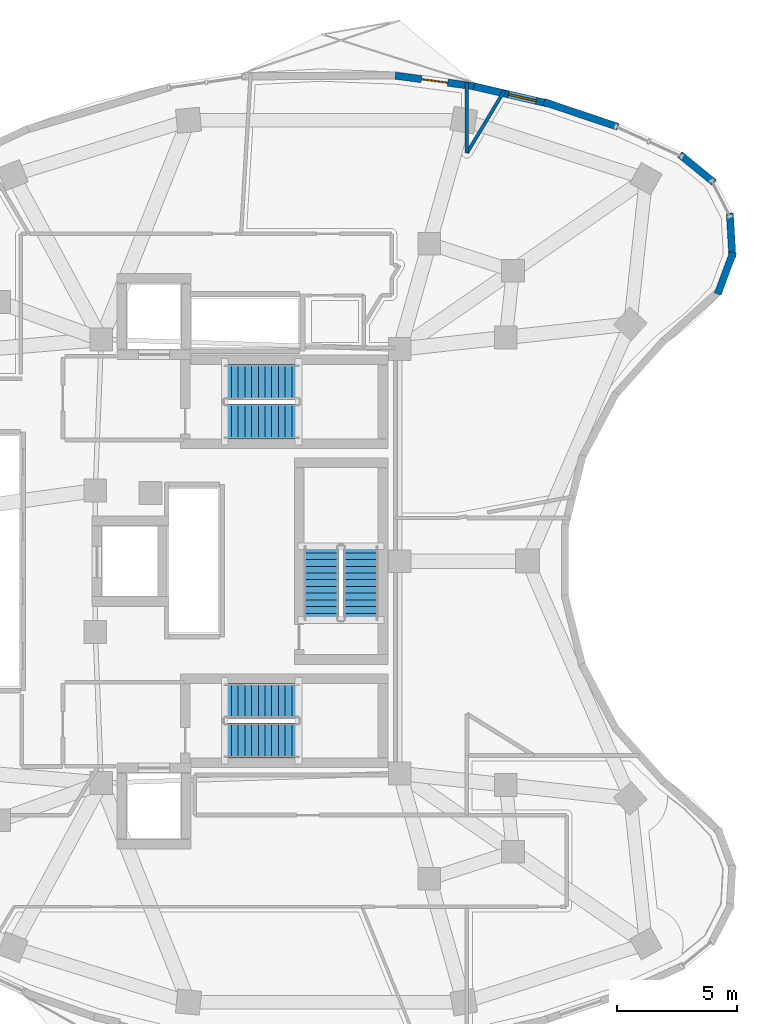
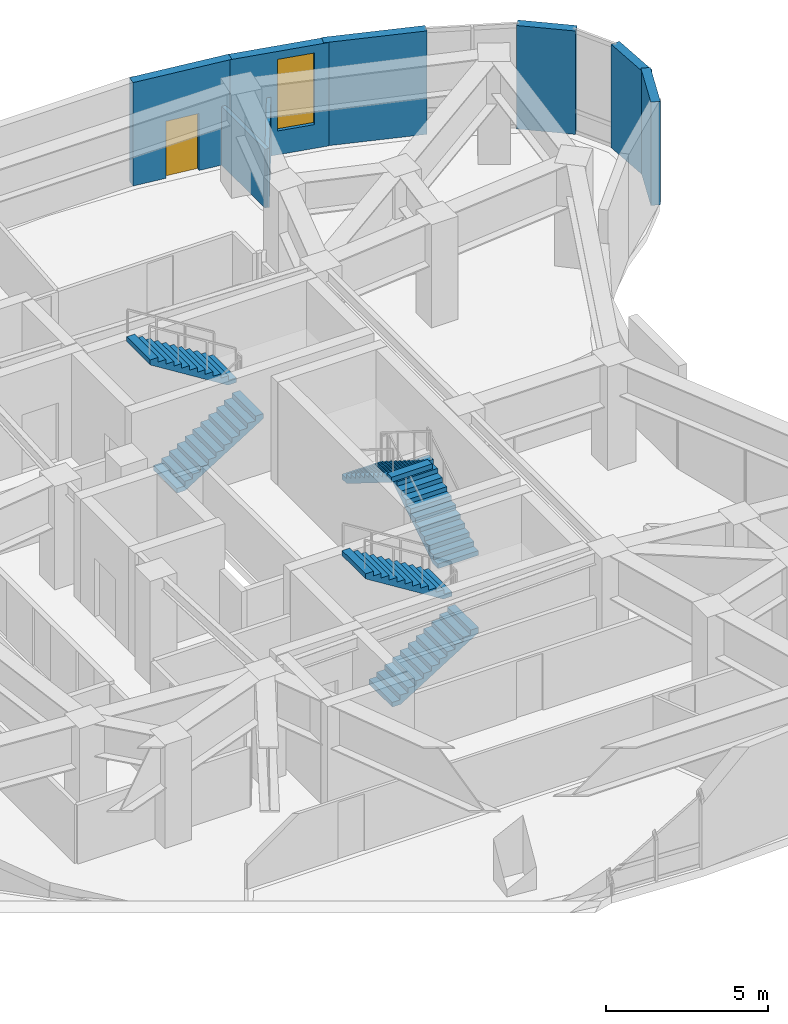
# One storey, part 9 of 12: 8 walls, 6 stair flights, 1 door, 1 window, 2 openings, 3 elements without a shape of their own.
"""IFC4 building model written with IfcOpenShell, lengths in metres."""

import ifcopenshell
import ifcopenshell.guid

model = None  # the IFC model being written
_history = None  # IfcOwnerHistory: only IFC2X3 demands one
_inside = {}  # id of a spatial element -> (the spatial element, [elements in it])
_under = {}  # id of a project, library or spatial element -> (it, [spatial elements below it])
_declared = {}  # id of a project -> (the project, [libraries it declares])
_typed = {}  # id of a type object -> (the type object, [elements of that type])
_made_of = {}  # id of a material, layer set ... -> (it, [elements and type objects made of it])


def new_model(schema):
    """Start an empty IFC model of exactly this schema.

    Asked for "IFC4X3", IfcOpenShell would pick the latest addendum, in which some entities
    have other attributes; the version numbers below select the first issue.
    IFC2X3 requires an IfcOwnerHistory on every rooted entity: one is made here for all.
    """
    global model, _history
    if schema == "IFC4X3":
        model = ifcopenshell.file(schema_version=(4, 3, 0, 0))
    else:
        model = ifcopenshell.file(schema=schema)
    _inside.clear()
    _under.clear()
    _declared.clear()
    _typed.clear()
    _made_of.clear()
    _history = None
    if model.schema == "IFC2X3":
        org = make("IfcOrganization", Name="unknown")
        user = make(
            "IfcPersonAndOrganization",
            ThePerson=make("IfcPerson", FamilyName="unknown"),
            TheOrganization=org,
        )
        app = make(
            "IfcApplication",
            ApplicationDeveloper=org,
            Version="unknown",
            ApplicationFullName="unknown",
            ApplicationIdentifier="unknown",
        )
        _history = make(
            "IfcOwnerHistory",
            OwningUser=user,
            OwningApplication=app,
            ChangeAction="ADDED",
            CreationDate=0,
        )
    return model


def make(cls, **values):
    """One entity of the class cls with the attributes given. An attribute that is None is left unset."""
    return model.create_entity(
        cls, **{name: value for name, value in values.items() if value is not None}
    )


def rooted(cls, **values):
    """An entity with a GlobalId (a new one), such as an element, a storey or a relation."""
    return make(cls, GlobalId=ifcopenshell.guid.new(), OwnerHistory=_history, **values)


def si_unit(unit_type, name, prefix=None):
    """IfcSIUnit, for example si_unit("LENGTHUNIT", "METRE", prefix="MILLI")."""
    return make("IfcSIUnit", UnitType=unit_type, Prefix=prefix, Name=name)


def assignment(units):
    """IfcUnitAssignment: the units of a project."""
    return None if units is None else make("IfcUnitAssignment", Units=units)


def point(xyz):
    """IfcCartesianPoint."""
    return None if xyz is None else make("IfcCartesianPoint", Coordinates=xyz)


def direction(xyz):
    """IfcDirection."""
    return None if xyz is None else make("IfcDirection", DirectionRatios=xyz)


def frame(location, z_axis=None, x_axis=None):
    """IfcAxis2Placement3D, a coordinate frame: its origin and axes. An axis left out is left unset."""
    return make(
        "IfcAxis2Placement3D",
        Location=point(location),
        Axis=direction(z_axis),
        RefDirection=direction(x_axis),
    )


def frame_2d(location, x_axis=None):
    """IfcAxis2Placement2D, a coordinate frame in the plane: its origin and x axis."""
    return make(
        "IfcAxis2Placement2D", Location=point(location), RefDirection=direction(x_axis)
    )


def origin():
    """The frame at (0, 0, 0) with its axes left unset."""
    return frame((0.0, 0.0, 0.0))


def place(relative_to, where):
    """IfcLocalPlacement: puts the frame where relative to a parent placement (None: the world)."""
    return make(
        "IfcLocalPlacement", PlacementRelTo=relative_to, RelativePlacement=where
    )


def context(
    kind, dimensions, precision=None, world=None, true_north=None, identifier=None
):
    """IfcGeometricRepresentationContext, for example the 3D "Model" context."""
    return make(
        "IfcGeometricRepresentationContext",
        ContextIdentifier=identifier,
        ContextType=kind,
        CoordinateSpaceDimension=dimensions,
        Precision=precision,
        WorldCoordinateSystem=world,
        TrueNorth=true_north,
    )


def subcontext(parent, identifier, kind, view, scale=None):
    """IfcGeometricRepresentationSubContext, for example "Body" below "Model"."""
    return make(
        "IfcGeometricRepresentationSubContext",
        ContextIdentifier=identifier,
        ContextType=kind,
        ParentContext=parent,
        TargetScale=scale,
        TargetView=view,
    )


def project(units=None, contexts=None):
    """IfcProject with its units and contexts."""
    return rooted(
        "IfcProject",
        Name="project",
        RepresentationContexts=contexts,
        UnitsInContext=assignment(units),
    )


def spatial(cls, under=None, at=None, **own):
    """A site, building, storey or space (cls), placed at a placement, below another one or the project."""
    s = rooted(cls, ObjectPlacement=at, **own)
    if under is not None:
        _under.setdefault(under.id(), (under, []))[1].append(s)
    return s


def polyline(points):
    """IfcPolyline through the points."""
    return make("IfcPolyline", Points=[point(p) for p in points])


def profile(cls, at=None, kind="AREA", **sizes):
    """A parametric profile (cls). Its sizes go by their IFC names, for example OverallWidth=200.0."""
    return make(cls, ProfileType=kind, Position=at, **sizes)


def rectangle(**sizes):
    """IfcRectangleProfileDef."""
    return profile("IfcRectangleProfileDef", **sizes)


def outline(outer, holes=None, kind="AREA"):
    """IfcArbitraryClosedProfileDef: a profile drawn as a closed curve; with holes, ...WithVoids."""
    if holes is None:
        return make("IfcArbitraryClosedProfileDef", ProfileType=kind, OuterCurve=outer)
    return make(
        "IfcArbitraryProfileDefWithVoids",
        ProfileType=kind,
        OuterCurve=outer,
        InnerCurves=holes,
    )


def extrude(swept, where, along, depth):
    """IfcExtrudedAreaSolid: the profile swept, set in the frame where, extruded along a direction by depth."""
    return make(
        "IfcExtrudedAreaSolid",
        SweptArea=swept,
        Position=where,
        ExtrudedDirection=direction(along),
        Depth=depth,
    )


def shape(context_of_items, identifier, shape_type, items):
    """IfcShapeRepresentation: the items that make up one representation, for example the "Body"."""
    return make(
        "IfcShapeRepresentation",
        ContextOfItems=context_of_items,
        RepresentationIdentifier=identifier,
        RepresentationType=shape_type,
        Items=items,
    )


def material(Name=None, Category=None):
    """IfcMaterial."""
    return make("IfcMaterial", Name=Name, Category=Category)


def layer(
    of_material, thickness, ventilated=None, Name=None, Category=None, Priority=None
):
    """IfcMaterialLayer: one layer of a wall or slab, of a material (None: an air gap)."""
    return make(
        "IfcMaterialLayer",
        Material=of_material,
        LayerThickness=thickness,
        IsVentilated=ventilated,
        Name=Name,
        Category=Category,
        Priority=Priority,
    )


def layer_set(layers, Name=None):
    """IfcMaterialLayerSet."""
    return make("IfcMaterialLayerSet", MaterialLayers=layers, LayerSetName=Name)


def made_of(thing, what):
    """Note that an element or type object is made of a material, layer set ...; save() writes the relation."""
    if what is not None:
        _made_of.setdefault(what.id(), (what, []))[1].append(thing)
    return thing


def type_object(cls, material=None, **own):
    """A type object (cls), such as IfcWallType, which elements share."""
    return made_of(rooted(cls, **own), material)


def element(
    cls,
    number,
    at=None,
    inside=None,
    cuts=None,
    type_object=None,
    material=None,
    context=None,
    identifier="Body",
    shape_type=None,
    held_by="IfcProductDefinitionShape",
    body=None,
    shapes=None,
    **own,
):
    """One element of the class cls, such as IfcWall. Its Tag is "e" and its number.

    at: its placement. inside: the storey or other place that contains it. cuts: it is an
    opening in that element (IfcRelVoidsElement). A single representation is given by context,
    identifier, shape_type and body (its items); several are given by shapes. held_by: the class
    of the entity that holds the representations. save() writes the other relations.
    """
    e = rooted(cls, Tag="e%d" % number, ObjectPlacement=at, **own)
    if body is not None:
        shapes = [shape(context, identifier, shape_type, body)]
    if shapes is not None:
        e.Representation = make(held_by, Representations=shapes)
    if inside is not None:
        _inside.setdefault(inside.id(), (inside, []))[1].append(e)
    if cuts is not None:
        rooted(
            "IfcRelVoidsElement", RelatingBuildingElement=cuts, RelatedOpeningElement=e
        )
    if type_object is not None:
        _typed.setdefault(type_object.id(), (type_object, []))[1].append(e)
    return made_of(e, material)


def fill(opening, filler):
    """IfcRelFillsElement: the door or window that sits in an opening."""
    return rooted(
        "IfcRelFillsElement",
        RelatingOpeningElement=opening,
        RelatedBuildingElement=filler,
    )


def aggregate(whole, parts):
    """IfcRelAggregates: a whole, such as a stair, and the parts it consists of."""
    return rooted("IfcRelAggregates", RelatingObject=whole, RelatedObjects=parts)


def save(model, path):
    """Write the relations noted so far, then the file.

    IfcRelAggregates (storeys below a building ...), IfcRelContainedInSpatialStructure (elements
    in a storey), IfcRelDefinesByType, IfcRelAssociatesMaterial and IfcRelDeclares: one each for
    every whole, place, type object, material and project.
    """
    for whole, parts in _under.values():
        aggregate(whole, parts)
    for where, things in _inside.values():
        rooted(
            "IfcRelContainedInSpatialStructure",
            RelatedElements=things,
            RelatingStructure=where,
        )
    for kind, things in _typed.values():
        rooted("IfcRelDefinesByType", RelatedObjects=things, RelatingType=kind)
    for what, things in _made_of.values():
        rooted("IfcRelAssociatesMaterial", RelatedObjects=things, RelatingMaterial=what)
    for by, libraries in _declared.values():
        rooted("IfcRelDeclares", RelatingContext=by, RelatedDefinitions=libraries)
    model.write(path)


model = new_model("IFC4")

# Units and contexts
model_context = context("Model", 3, precision=1e-05, world=origin(), true_north=direction((0.0, 1.0)))
body_context = subcontext(model_context, "Body", "Model", "MODEL_VIEW")
ifc_project = project(units=[si_unit("LENGTHUNIT", "METRE"), si_unit("AREAUNIT", "SQUARE_METRE"), si_unit("VOLUMEUNIT", "CUBIC_METRE"), si_unit("PLANEANGLEUNIT", "RADIAN"), si_unit("MASSUNIT", "GRAM", prefix="KILO")], contexts=[model_context])

# Site, building, storey
site_placement = place(None, origin())
site = spatial("IfcSite", under=ifc_project, at=site_placement, CompositionType="ELEMENT")
building_placement = place(site_placement, origin())
building = spatial("IfcBuilding", under=site, at=building_placement, Name="Korentha Bioscience Tower", CompositionType="ELEMENT")
storey_placement = place(building_placement, frame((0.0, 0.0, 196.199951171875)))
storey = spatial("IfcBuildingStorey", under=building, at=storey_placement, Name="L45", CompositionType="ELEMENT", Elevation=196.199951171875)

# Walls
ifc_material_1 = material(Name="Insulated Aluminium Honeycomb Panel", Category="aluminium")
ifc_layer_1 = layer(ifc_material_1, 0.139892578125, Name="Insulated Aluminium Honeycomb Panel")
ifc_layer_set_1 = layer_set([ifc_layer_1], Name="Insulated Aluminium Honeycomb Panel (IW-F60)")
wall_type_1 = type_object("IfcWallType", Name="Cleanroom Flush Metal Panel Partition 140", PredefinedType="PARTITIONING", material=ifc_layer_set_1)
wall_1_placement = place(storey_placement, frame((40.347900390625, 46.990966796875, 0.0), z_axis=(0.0, 0.0, 1.0), x_axis=(0.0, -1.0, 0.0)))
element("IfcWall", 1, at=wall_1_placement, inside=storey, type_object=wall_type_1, Name="L45 Interior Partition 047", PredefinedType="PARTITIONING", context=body_context, shape_type="SweptSolid", body=[
    extrude(rectangle(XDim=2.958984375, YDim=0.139892578125, at=frame_2d((1.4794921875, 0.0))), origin(), (0.0, 0.0, 1.0), 2.219970703125),
])
wall_2_placement = place(storey_placement, frame((40.35546875, 44.030029296875, 0.0), z_axis=(0.0, 0.0, 1.0), x_axis=(0.515061691841, 0.857153109776, 0.0)))
element("IfcWall", 2, at=wall_2_placement, inside=storey, type_object=wall_type_1, Name="L45 Interior Partition 048", PredefinedType="PARTITIONING", context=body_context, shape_type="SweptSolid", body=[
    extrude(rectangle(XDim=3.04443359375, YDim=0.139892578125, at=frame_2d((1.522216796875, 0.0))), origin(), (0.0, 0.0, 1.0), 2.219970703125),
])

# Wall, opening, window
ifc_material_2 = material(Name="Honed Limestone Precast Concrete C40", Category="masonry")
ifc_layer_2 = layer(ifc_material_2, 0.300048828125, Name="Honed Limestone Precast Concrete C40")
ifc_layer_set_2 = layer_set([ifc_layer_2], Name="Honed Limestone Precast Concrete C40 (EW-ST300)")
wall_type_2 = type_object("IfcWallType", Name="Honed Limestone Cavity Spandrel Wall 300", PredefinedType="STANDARD", material=ifc_layer_set_2)
wall_3_placement = place(storey_placement, frame((43.70361328125, 46.096923828125, 0.0), z_axis=(0.0, 0.0, 1.0), x_axis=(-0.974182179996, 0.225763327799, 0.0)))
wall_3 = element("IfcWall", 3, at=wall_3_placement, inside=storey, type_object=wall_type_2, Name="L45 Honed Limestone Spandrel Wall 03", PredefinedType="STANDARD", context=body_context, shape_type="SweptSolid", body=[
    extrude(rectangle(XDim=3.2744140625, YDim=0.300048828125, at=frame_2d((1.63720703125, 0.0))), origin(), (0.0, 0.0, 1.0), 3.900146484375),
])
opening_1_placement = place(wall_3_placement, frame((0.466552734375, 0.0, 0.89990234375)))
opening_1 = element("IfcOpeningElement", 4, at=opening_1_placement, cuts=wall_3, Name="Opening WN-03", PredefinedType="OPENING", context=body_context, shape_type="SweptSolid", body=[
    extrude(rectangle(XDim=1.199951171875, YDim=2.699951171875, at=frame_2d((0.60009765625, 1.35009765625))), frame((0.0, 0.1650390625, 0.0), z_axis=(0.0, -1.0, 0.0), x_axis=(1.0, 0.0, 0.0)), (0.0, 0.0, 1.0), 0.329833984375),
])
ifc_material_3 = material(Name="Thermally Broken Aluminium Triple Glazing", Category="aluminium")
window_type = type_object("IfcWindowType", Name="Theatre Foyer Tall Ribbon Window 1200x2700", PartitioningType="SINGLE_PANEL", PredefinedType="WINDOW", material=ifc_material_3)
window_placement = place(opening_1_placement, origin())
window = element("IfcWindow", 5, at=window_placement, inside=storey, type_object=window_type, Name="L45 Facade Window 03", OverallHeight=2.699951171875, OverallWidth=1.199951171875, PartitioningType="SINGLE_PANEL", PredefinedType="WINDOW", context=body_context, shape_type="SweptSolid", body=[
    extrude(rectangle(XDim=1.199951171875, YDim=2.699951171875, at=frame_2d((0.60009765625, 1.35009765625))), frame((0.0, 0.030029296875, 0.0), z_axis=(0.0, -1.0, 0.0), x_axis=(1.0, 0.0, 0.0)), (0.0, 0.0, 1.0), 0.06005859375),
])
fill(opening_1, window)

# Wall, opening, door
wall_4_placement = place(storey_placement, frame((40.646484375, 46.81201171875, 0.0), z_axis=(0.0, 0.0, 1.0), x_axis=(-0.991139436205, 0.132825517122, 0.0)))
wall_4 = element("IfcWall", 6, at=wall_4_placement, inside=storey, type_object=wall_type_2, Name="L45 Balcony Threshold Wall 01", PredefinedType="STANDARD", context=body_context, shape_type="SweptSolid", body=[
    extrude(rectangle(XDim=3.310302734375, YDim=0.300048828125, at=frame_2d((1.6552734375, 0.0))), origin(), (0.0, 0.0, 1.0), 3.900146484375),
])
opening_2_placement = place(wall_4_placement, frame((1.105224609375, 0.0, 0.0)))
opening_2 = element("IfcOpeningElement", 7, at=opening_2_placement, cuts=wall_4, Name="Opening BD-11L", PredefinedType="OPENING", context=body_context, shape_type="SweptSolid", body=[
    extrude(rectangle(XDim=1.10009765625, YDim=2.14990234375, at=frame_2d((0.550048828125, 1.074951171875))), frame((0.0, 0.1650390625, 0.0), z_axis=(0.0, -1.0, 0.0), x_axis=(1.0, 0.0, 0.0)), (0.0, 0.0, 1.0), 0.329833984375),
])
ifc_material_4 = material(Name="Thermally Broken Glazed Aluminium", Category="aluminium")
door_type = type_object("IfcDoorType", Name="Balcony Terrace Glazed Door 1100x2150 Left", OperationType="SINGLE_SWING_LEFT", PredefinedType="DOOR", material=ifc_material_4)
door_placement = place(opening_2_placement, origin())
door = element("IfcDoor", 8, at=door_placement, inside=storey, type_object=door_type, Name="L45 Balcony Access Door 01", OperationType="SINGLE_SWING_LEFT", OverallHeight=2.14990234375, OverallWidth=1.10009765625, PredefinedType="DOOR", context=body_context, shape_type="SweptSolid", body=[
    extrude(rectangle(XDim=1.10009765625, YDim=2.14990234375, at=frame_2d((0.550048828125, 1.074951171875))), frame((0.0, 0.02490234375, 0.0), z_axis=(0.0, -1.0, 0.0), x_axis=(1.0, 0.0, 0.0)), (0.0, 0.0, 1.0), 0.050048828125),
])
fill(opening_2, door)

# Walls
wall_5_placement = place(storey_placement, frame((46.652099609375, 45.117919921875, 0.0), z_axis=(0.0, 0.0, 1.0), x_axis=(-0.947683163779, 0.319212501462, 0.0)))
element("IfcWall", 9, at=wall_5_placement, inside=storey, type_object=wall_type_2, Name="L45 Limestone Perimeter Closure Wall 02", PredefinedType="STANDARD", context=body_context, shape_type="SweptSolid", body=[
    extrude(rectangle(XDim=3.261962890625, YDim=0.300048828125, at=frame_2d((1.630859375, 0.0))), origin(), (0.0, 0.0, 1.0), 3.900146484375),
])
for number, where, z_axis, x_axis, name in (
    (10, (50.811279296875, 38.143310546875, 0.0), (0.0, 0.0, 1.0), (0.348984166898, 0.937128620443, 0.0), "L45 Limestone Perimeter Closure Wall 59"),
    (11, (51.425537109375, 39.6669921875, 0.0), (0.0, 0.0, 1.0), (-0.057485341891, 0.998346350455, 0.0), "L45 Limestone Perimeter Closure Wall 60"),
    (12, (50.668212890625, 42.7919921875, 0.0), (0.0, 0.0, 1.0), (-0.774174596654, 0.632972111467, 0.0), "L45 Limestone Perimeter Closure Wall 62"),
):
    element("IfcWall", number, at=place(storey_placement, frame(where, z_axis=z_axis, x_axis=x_axis)), inside=storey, type_object=wall_type_2, Name=name, PredefinedType="STANDARD", context=body_context, shape_type="SweptSolid", body=[
        extrude(rectangle(XDim=1.851806640625, YDim=0.300048828125, at=frame_2d((0.92578125, 0.0))), origin(), (0.0, 0.0, 1.0), 3.900146484375),
    ])

# Stair, stair flights
ifc_material_5 = material(Name="Precast Concrete C50", Category="concrete")
stair_type = type_object("IfcStairType", Name="Core Exit Dog-Leg Stair 1450", PredefinedType="HALF_TURN_STAIR", material=ifc_material_5)
stair_1_placement = place(storey_placement, origin())
stair_1 = element("IfcStair", 13, at=stair_1_placement, inside=storey, type_object=stair_type, Name="L45 Tower North Pressurized Exit Stair ST-1", PredefinedType="HALF_TURN_STAIR")
stair_flight_type = type_object("IfcStairFlightType", Name="Core Exit Dog-Leg Stair 1450 Flight", PredefinedType="STRAIGHT", material=ifc_material_5)
stair_flight_1_placement = place(storey_placement, frame((30.25, 32.824951171875, 0.0), z_axis=(0.0, 0.0, 1.0), x_axis=(1.0, 0.0, 0.0)))
stair_flight_1 = element("IfcStairFlight", 14, at=stair_flight_1_placement, type_object=stair_flight_type, Name="ST-1 flight 1", NumberOfRisers=12, NumberOfTreads=11, PredefinedType="STRAIGHT", RiserHeight=0.175, TreadLength=0.28, context=body_context, shape_type="SweptSolid", body=[
    extrude(outline(polyline([(0.0, 0.0), (0.0, 0.175048828125), (0.280029296875, 0.175048828125), (0.280029296875, 0.35009765625), (0.56005859375, 0.35009765625), (0.56005859375, 0.52490234375), (0.840087890625, 0.52490234375), (0.840087890625, 0.699951171875), (1.1201171875, 0.699951171875), (1.1201171875, 0.875), (1.39990234375, 0.875), (1.39990234375, 1.050048828125), (1.679931640625, 1.050048828125), (1.679931640625, 1.22509765625), (1.9599609375, 1.22509765625), (1.9599609375, 1.39990234375), (2.239990234375, 1.39990234375), (2.239990234375, 1.574951171875), (2.52001953125, 1.574951171875), (2.52001953125, 1.75), (2.800048828125, 1.75), (2.800048828125, 1.925048828125), (3.080078125, 1.925048828125), (3.080078125, 2.10009765625), (3.080078125, 1.736328125), (0.3017578125, 0.0), (0.0, 0.0)])), frame((0.0, 0.72509765625, 0.0), z_axis=(0.0, -1.0, 0.0), x_axis=(1.0, 0.0, 0.0)), (0.0, 0.0, 1.0), 1.449951171875),
])
stair_flight_2_placement = place(storey_placement, frame((33.330078125, 34.47509765625, 2.10009765625), z_axis=(0.0, 0.0, 1.0), x_axis=(-1.0, 0.0, 0.0)))
stair_flight_2 = element("IfcStairFlight", 15, at=stair_flight_2_placement, type_object=stair_flight_type, Name="ST-1 flight 2", NumberOfRisers=12, NumberOfTreads=11, PredefinedType="STRAIGHT", RiserHeight=0.175, TreadLength=0.28, context=body_context, shape_type="SweptSolid", body=[
    extrude(outline(polyline([(0.0, 0.0), (0.0, 0.175048828125), (0.280029296875, 0.175048828125), (0.280029296875, 0.35009765625), (0.56005859375, 0.35009765625), (0.56005859375, 0.52490234375), (0.840087890625, 0.52490234375), (0.840087890625, 0.699951171875), (1.1201171875, 0.699951171875), (1.1201171875, 0.875), (1.39990234375, 0.875), (1.39990234375, 1.050048828125), (1.679931640625, 1.050048828125), (1.679931640625, 1.22509765625), (1.9599609375, 1.22509765625), (1.9599609375, 1.39990234375), (2.239990234375, 1.39990234375), (2.239990234375, 1.574951171875), (2.52001953125, 1.574951171875), (2.52001953125, 1.75), (2.800048828125, 1.75), (2.800048828125, 1.925048828125), (3.080078125, 1.925048828125), (3.080078125, 2.10009765625), (3.080078125, 1.736328125), (0.3017578125, 0.0), (0.0, 0.0)])), frame((0.0, 0.72509765625, 0.0), z_axis=(0.0, -1.0, 0.0), x_axis=(1.0, 0.0, 0.0)), (0.0, 0.0, 1.0), 1.449951171875),
])
aggregate(stair_1, [stair_flight_1, stair_flight_2])

stair_2_placement = place(storey_placement, origin())
stair_2 = element("IfcStair", 16, at=stair_2_placement, inside=storey, type_object=stair_type, Name="L45 Tower South Pressurized Exit Stair ST-2", PredefinedType="HALF_TURN_STAIR")
stair_flight_3_placement = place(storey_placement, frame((30.25, 19.52490234375, 0.0), z_axis=(0.0, 0.0, 1.0), x_axis=(1.0, 0.0, 0.0)))
stair_flight_3 = element("IfcStairFlight", 17, at=stair_flight_3_placement, type_object=stair_flight_type, Name="ST-2 flight 1", NumberOfRisers=12, NumberOfTreads=11, PredefinedType="STRAIGHT", RiserHeight=0.175, TreadLength=0.28, context=body_context, shape_type="SweptSolid", body=[
    extrude(outline(polyline([(0.0, 0.0), (0.0, 0.175048828125), (0.280029296875, 0.175048828125), (0.280029296875, 0.35009765625), (0.56005859375, 0.35009765625), (0.56005859375, 0.52490234375), (0.840087890625, 0.52490234375), (0.840087890625, 0.699951171875), (1.1201171875, 0.699951171875), (1.1201171875, 0.875), (1.39990234375, 0.875), (1.39990234375, 1.050048828125), (1.679931640625, 1.050048828125), (1.679931640625, 1.22509765625), (1.9599609375, 1.22509765625), (1.9599609375, 1.39990234375), (2.239990234375, 1.39990234375), (2.239990234375, 1.574951171875), (2.52001953125, 1.574951171875), (2.52001953125, 1.75), (2.800048828125, 1.75), (2.800048828125, 1.925048828125), (3.080078125, 1.925048828125), (3.080078125, 2.10009765625), (3.080078125, 1.736328125), (0.3017578125, 0.0), (0.0, 0.0)])), frame((0.0, 0.72509765625, 0.0), z_axis=(0.0, -1.0, 0.0), x_axis=(1.0, 0.0, 0.0)), (0.0, 0.0, 1.0), 1.449951171875),
])
stair_flight_4_placement = place(storey_placement, frame((33.330078125, 21.175048828125, 2.10009765625), z_axis=(0.0, 0.0, 1.0), x_axis=(-1.0, 0.0, 0.0)))
stair_flight_4 = element("IfcStairFlight", 18, at=stair_flight_4_placement, type_object=stair_flight_type, Name="ST-2 flight 2", NumberOfRisers=12, NumberOfTreads=11, PredefinedType="STRAIGHT", RiserHeight=0.175, TreadLength=0.28, context=body_context, shape_type="SweptSolid", body=[
    extrude(outline(polyline([(0.0, 0.0), (0.0, 0.175048828125), (0.280029296875, 0.175048828125), (0.280029296875, 0.35009765625), (0.56005859375, 0.35009765625), (0.56005859375, 0.52490234375), (0.840087890625, 0.52490234375), (0.840087890625, 0.699951171875), (1.1201171875, 0.699951171875), (1.1201171875, 0.875), (1.39990234375, 0.875), (1.39990234375, 1.050048828125), (1.679931640625, 1.050048828125), (1.679931640625, 1.22509765625), (1.9599609375, 1.22509765625), (1.9599609375, 1.39990234375), (2.239990234375, 1.39990234375), (2.239990234375, 1.574951171875), (2.52001953125, 1.574951171875), (2.52001953125, 1.75), (2.800048828125, 1.75), (2.800048828125, 1.925048828125), (3.080078125, 1.925048828125), (3.080078125, 2.10009765625), (3.080078125, 1.736328125), (0.3017578125, 0.0), (0.0, 0.0)])), frame((0.0, 0.72509765625, 0.0), z_axis=(0.0, -1.0, 0.0), x_axis=(1.0, 0.0, 0.0)), (0.0, 0.0, 1.0), 1.449951171875),
])
aggregate(stair_2, [stair_flight_3, stair_flight_4])

stair_3_placement = place(storey_placement, origin())
stair_3 = element("IfcStair", 19, at=stair_3_placement, inside=storey, type_object=stair_type, Name="L45 Tower Central Pressurized Exit Stair ST-3", PredefinedType="HALF_TURN_STAIR")
stair_flight_5_placement = place(storey_placement, frame((35.925048828125, 24.550048828125, 0.0), z_axis=(0.0, 0.0, 1.0), x_axis=(0.0, 1.0, 0.0)))
stair_flight_5 = element("IfcStairFlight", 20, at=stair_flight_5_placement, type_object=stair_flight_type, Name="ST-3 flight 1", NumberOfRisers=12, NumberOfTreads=11, PredefinedType="STRAIGHT", RiserHeight=0.175, TreadLength=0.28, context=body_context, shape_type="SweptSolid", body=[
    extrude(outline(polyline([(0.0, 0.0), (0.0, 0.175048828125), (0.280029296875, 0.175048828125), (0.280029296875, 0.35009765625), (0.56005859375, 0.35009765625), (0.56005859375, 0.52490234375), (0.840087890625, 0.52490234375), (0.840087890625, 0.699951171875), (1.1201171875, 0.699951171875), (1.1201171875, 0.875), (1.39990234375, 0.875), (1.39990234375, 1.050048828125), (1.679931640625, 1.050048828125), (1.679931640625, 1.22509765625), (1.9599609375, 1.22509765625), (1.9599609375, 1.39990234375), (2.239990234375, 1.39990234375), (2.239990234375, 1.574951171875), (2.52001953125, 1.574951171875), (2.52001953125, 1.75), (2.800048828125, 1.75), (2.800048828125, 1.925048828125), (3.080078125, 1.925048828125), (3.080078125, 2.10009765625), (3.080078125, 1.736328125), (0.3017578125, 0.0), (0.0, 0.0)])), frame((0.0, 0.72509765625, 0.0), z_axis=(0.0, -1.0, 0.0), x_axis=(1.0, 0.0, 0.0)), (0.0, 0.0, 1.0), 1.449951171875),
])
stair_flight_6_placement = place(storey_placement, frame((34.27490234375, 27.6298828125, 2.10009765625), z_axis=(0.0, 0.0, 1.0), x_axis=(0.0, -1.0, 0.0)))
stair_flight_6 = element("IfcStairFlight", 21, at=stair_flight_6_placement, type_object=stair_flight_type, Name="ST-3 flight 2", NumberOfRisers=12, NumberOfTreads=11, PredefinedType="STRAIGHT", RiserHeight=0.175, TreadLength=0.28, context=body_context, shape_type="SweptSolid", body=[
    extrude(outline(polyline([(0.0, 0.0), (0.0, 0.175048828125), (0.280029296875, 0.175048828125), (0.280029296875, 0.35009765625), (0.56005859375, 0.35009765625), (0.56005859375, 0.52490234375), (0.840087890625, 0.52490234375), (0.840087890625, 0.699951171875), (1.1201171875, 0.699951171875), (1.1201171875, 0.875), (1.39990234375, 0.875), (1.39990234375, 1.050048828125), (1.679931640625, 1.050048828125), (1.679931640625, 1.22509765625), (1.9599609375, 1.22509765625), (1.9599609375, 1.39990234375), (2.239990234375, 1.39990234375), (2.239990234375, 1.574951171875), (2.52001953125, 1.574951171875), (2.52001953125, 1.75), (2.800048828125, 1.75), (2.800048828125, 1.925048828125), (3.080078125, 1.925048828125), (3.080078125, 2.10009765625), (3.080078125, 1.736328125), (0.3017578125, 0.0), (0.0, 0.0)])), frame((0.0, 0.72509765625, 0.0), z_axis=(0.0, -1.0, 0.0), x_axis=(1.0, 0.0, 0.0)), (0.0, 0.0, 1.0), 1.449951171875),
])
aggregate(stair_3, [stair_flight_5, stair_flight_6])

save(model, "model.ifc")
